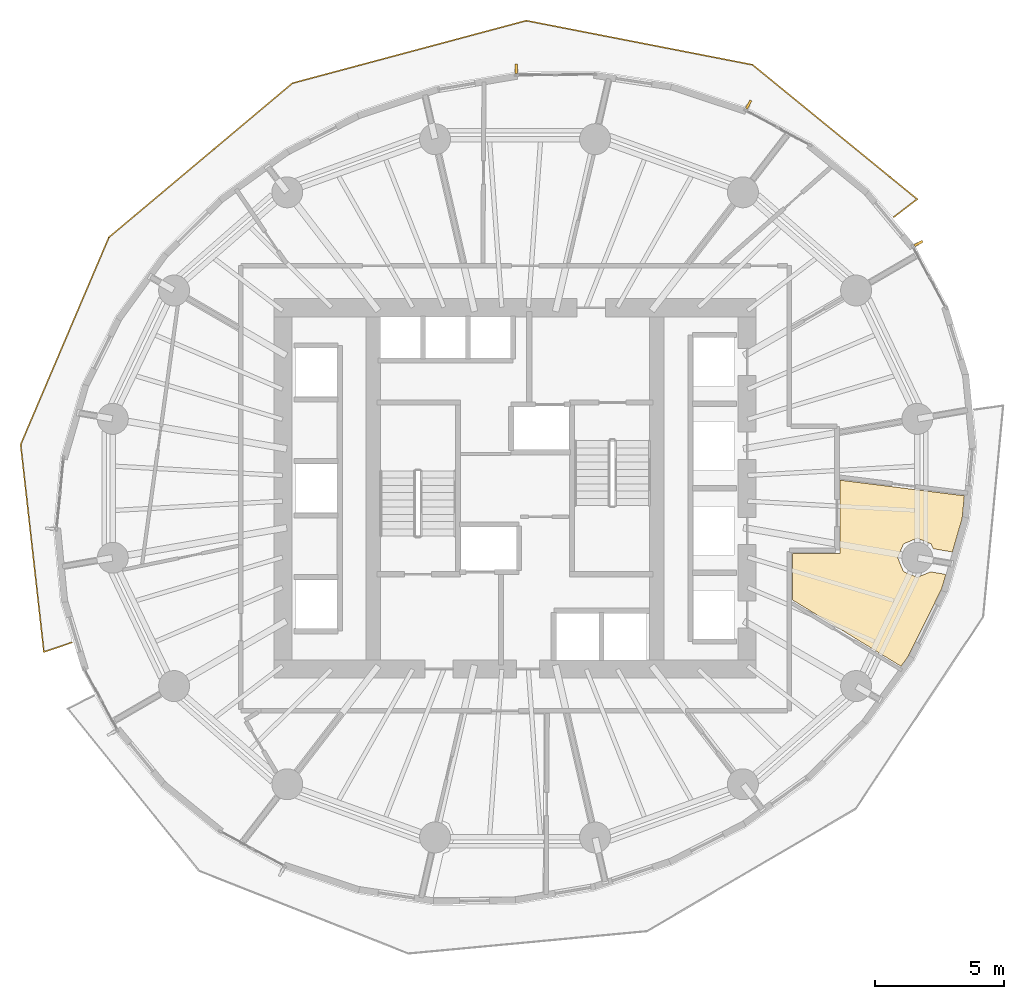
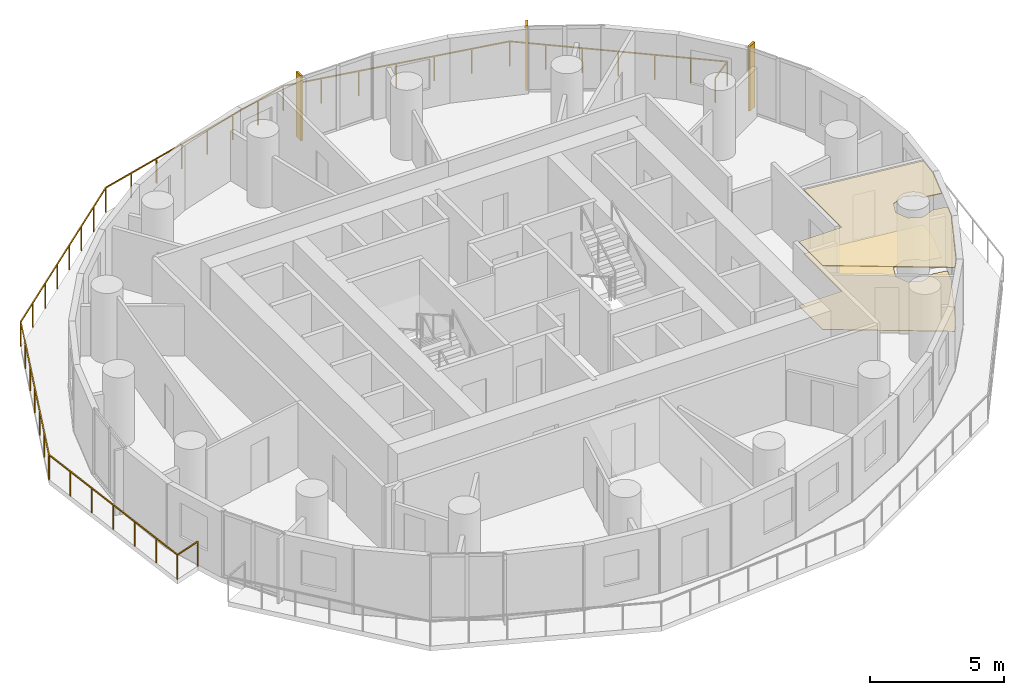
# One storey, part 14 of 14: 3 shading devices, 2 coverings, 1 railing.
"""IFC4 building model written with IfcOpenShell, lengths in metres."""

import ifcopenshell
import ifcopenshell.guid

model = None  # the IFC model being written
_history = None  # IfcOwnerHistory: only IFC2X3 demands one
_inside = {}  # id of a spatial element -> (the spatial element, [elements in it])
_under = {}  # id of a project, library or spatial element -> (it, [spatial elements below it])
_declared = {}  # id of a project -> (the project, [libraries it declares])
_typed = {}  # id of a type object -> (the type object, [elements of that type])
_made_of = {}  # id of a material, layer set ... -> (it, [elements and type objects made of it])


def new_model(schema):
    """Start an empty IFC model of exactly this schema.

    Asked for "IFC4X3", IfcOpenShell would pick the latest addendum, in which some entities
    have other attributes; the version numbers below select the first issue.
    IFC2X3 requires an IfcOwnerHistory on every rooted entity: one is made here for all.
    """
    global model, _history
    if schema == "IFC4X3":
        model = ifcopenshell.file(schema_version=(4, 3, 0, 0))
    else:
        model = ifcopenshell.file(schema=schema)
    _inside.clear()
    _under.clear()
    _declared.clear()
    _typed.clear()
    _made_of.clear()
    _history = None
    if model.schema == "IFC2X3":
        org = make("IfcOrganization", Name="unknown")
        user = make(
            "IfcPersonAndOrganization",
            ThePerson=make("IfcPerson", FamilyName="unknown"),
            TheOrganization=org,
        )
        app = make(
            "IfcApplication",
            ApplicationDeveloper=org,
            Version="unknown",
            ApplicationFullName="unknown",
            ApplicationIdentifier="unknown",
        )
        _history = make(
            "IfcOwnerHistory",
            OwningUser=user,
            OwningApplication=app,
            ChangeAction="ADDED",
            CreationDate=0,
        )
    return model


def make(cls, **values):
    """One entity of the class cls with the attributes given. An attribute that is None is left unset."""
    return model.create_entity(
        cls, **{name: value for name, value in values.items() if value is not None}
    )


def rooted(cls, **values):
    """An entity with a GlobalId (a new one), such as an element, a storey or a relation."""
    return make(cls, GlobalId=ifcopenshell.guid.new(), OwnerHistory=_history, **values)


def si_unit(unit_type, name, prefix=None):
    """IfcSIUnit, for example si_unit("LENGTHUNIT", "METRE", prefix="MILLI")."""
    return make("IfcSIUnit", UnitType=unit_type, Prefix=prefix, Name=name)


def assignment(units):
    """IfcUnitAssignment: the units of a project."""
    return None if units is None else make("IfcUnitAssignment", Units=units)


def point(xyz):
    """IfcCartesianPoint."""
    return None if xyz is None else make("IfcCartesianPoint", Coordinates=xyz)


def direction(xyz):
    """IfcDirection."""
    return None if xyz is None else make("IfcDirection", DirectionRatios=xyz)


def frame(location, z_axis=None, x_axis=None):
    """IfcAxis2Placement3D, a coordinate frame: its origin and axes. An axis left out is left unset."""
    return make(
        "IfcAxis2Placement3D",
        Location=point(location),
        Axis=direction(z_axis),
        RefDirection=direction(x_axis),
    )


def frame_2d(location, x_axis=None):
    """IfcAxis2Placement2D, a coordinate frame in the plane: its origin and x axis."""
    return make(
        "IfcAxis2Placement2D", Location=point(location), RefDirection=direction(x_axis)
    )


def origin():
    """The frame at (0, 0, 0) with its axes left unset."""
    return frame((0.0, 0.0, 0.0))


def origin_2d():
    """The frame at (0, 0) in the plane with its x axis left unset."""
    return frame_2d((0.0, 0.0))


def place(relative_to, where):
    """IfcLocalPlacement: puts the frame where relative to a parent placement (None: the world)."""
    return make(
        "IfcLocalPlacement", PlacementRelTo=relative_to, RelativePlacement=where
    )


def context(
    kind, dimensions, precision=None, world=None, true_north=None, identifier=None
):
    """IfcGeometricRepresentationContext, for example the 3D "Model" context."""
    return make(
        "IfcGeometricRepresentationContext",
        ContextIdentifier=identifier,
        ContextType=kind,
        CoordinateSpaceDimension=dimensions,
        Precision=precision,
        WorldCoordinateSystem=world,
        TrueNorth=true_north,
    )


def subcontext(parent, identifier, kind, view, scale=None):
    """IfcGeometricRepresentationSubContext, for example "Body" below "Model"."""
    return make(
        "IfcGeometricRepresentationSubContext",
        ContextIdentifier=identifier,
        ContextType=kind,
        ParentContext=parent,
        TargetScale=scale,
        TargetView=view,
    )


def project(units=None, contexts=None):
    """IfcProject with its units and contexts."""
    return rooted(
        "IfcProject",
        Name="project",
        RepresentationContexts=contexts,
        UnitsInContext=assignment(units),
    )


def spatial(cls, under=None, at=None, **own):
    """A site, building, storey or space (cls), placed at a placement, below another one or the project."""
    s = rooted(cls, ObjectPlacement=at, **own)
    if under is not None:
        _under.setdefault(under.id(), (under, []))[1].append(s)
    return s


def polyline(points):
    """IfcPolyline through the points."""
    return make("IfcPolyline", Points=[point(p) for p in points])


def profile(cls, at=None, kind="AREA", **sizes):
    """A parametric profile (cls). Its sizes go by their IFC names, for example OverallWidth=200.0."""
    return make(cls, ProfileType=kind, Position=at, **sizes)


def rectangle(**sizes):
    """IfcRectangleProfileDef."""
    return profile("IfcRectangleProfileDef", **sizes)


def outline(outer, holes=None, kind="AREA"):
    """IfcArbitraryClosedProfileDef: a profile drawn as a closed curve; with holes, ...WithVoids."""
    if holes is None:
        return make("IfcArbitraryClosedProfileDef", ProfileType=kind, OuterCurve=outer)
    return make(
        "IfcArbitraryProfileDefWithVoids",
        ProfileType=kind,
        OuterCurve=outer,
        InnerCurves=holes,
    )


def extrude(swept, where, along, depth):
    """IfcExtrudedAreaSolid: the profile swept, set in the frame where, extruded along a direction by depth."""
    return make(
        "IfcExtrudedAreaSolid",
        SweptArea=swept,
        Position=where,
        ExtrudedDirection=direction(along),
        Depth=depth,
    )


def shape(context_of_items, identifier, shape_type, items):
    """IfcShapeRepresentation: the items that make up one representation, for example the "Body"."""
    return make(
        "IfcShapeRepresentation",
        ContextOfItems=context_of_items,
        RepresentationIdentifier=identifier,
        RepresentationType=shape_type,
        Items=items,
    )


def material(Name=None, Category=None):
    """IfcMaterial."""
    return make("IfcMaterial", Name=Name, Category=Category)


def layer(
    of_material, thickness, ventilated=None, Name=None, Category=None, Priority=None
):
    """IfcMaterialLayer: one layer of a wall or slab, of a material (None: an air gap)."""
    return make(
        "IfcMaterialLayer",
        Material=of_material,
        LayerThickness=thickness,
        IsVentilated=ventilated,
        Name=Name,
        Category=Category,
        Priority=Priority,
    )


def layer_set(layers, Name=None):
    """IfcMaterialLayerSet."""
    return make("IfcMaterialLayerSet", MaterialLayers=layers, LayerSetName=Name)


def made_of(thing, what):
    """Note that an element or type object is made of a material, layer set ...; save() writes the relation."""
    if what is not None:
        _made_of.setdefault(what.id(), (what, []))[1].append(thing)
    return thing


def type_object(cls, material=None, **own):
    """A type object (cls), such as IfcWallType, which elements share."""
    return made_of(rooted(cls, **own), material)


def element(
    cls,
    number,
    at=None,
    inside=None,
    cuts=None,
    type_object=None,
    material=None,
    context=None,
    identifier="Body",
    shape_type=None,
    held_by="IfcProductDefinitionShape",
    body=None,
    shapes=None,
    **own,
):
    """One element of the class cls, such as IfcWall. Its Tag is "e" and its number.

    at: its placement. inside: the storey or other place that contains it. cuts: it is an
    opening in that element (IfcRelVoidsElement). A single representation is given by context,
    identifier, shape_type and body (its items); several are given by shapes. held_by: the class
    of the entity that holds the representations. save() writes the other relations.
    """
    e = rooted(cls, Tag="e%d" % number, ObjectPlacement=at, **own)
    if body is not None:
        shapes = [shape(context, identifier, shape_type, body)]
    if shapes is not None:
        e.Representation = make(held_by, Representations=shapes)
    if inside is not None:
        _inside.setdefault(inside.id(), (inside, []))[1].append(e)
    if cuts is not None:
        rooted(
            "IfcRelVoidsElement", RelatingBuildingElement=cuts, RelatedOpeningElement=e
        )
    if type_object is not None:
        _typed.setdefault(type_object.id(), (type_object, []))[1].append(e)
    return made_of(e, material)


def aggregate(whole, parts):
    """IfcRelAggregates: a whole, such as a stair, and the parts it consists of."""
    return rooted("IfcRelAggregates", RelatingObject=whole, RelatedObjects=parts)


def save(model, path):
    """Write the relations noted so far, then the file.

    IfcRelAggregates (storeys below a building ...), IfcRelContainedInSpatialStructure (elements
    in a storey), IfcRelDefinesByType, IfcRelAssociatesMaterial and IfcRelDeclares: one each for
    every whole, place, type object, material and project.
    """
    for whole, parts in _under.values():
        aggregate(whole, parts)
    for where, things in _inside.values():
        rooted(
            "IfcRelContainedInSpatialStructure",
            RelatedElements=things,
            RelatingStructure=where,
        )
    for kind, things in _typed.values():
        rooted("IfcRelDefinesByType", RelatedObjects=things, RelatingType=kind)
    for what, things in _made_of.values():
        rooted("IfcRelAssociatesMaterial", RelatedObjects=things, RelatingMaterial=what)
    for by, libraries in _declared.values():
        rooted("IfcRelDeclares", RelatingContext=by, RelatedDefinitions=libraries)
    model.write(path)


model = new_model("IFC4")

# Units and contexts
model_context = context("Model", 3, precision=1e-05, world=origin(), true_north=direction((0.0, 1.0)))
body_context = subcontext(model_context, "Body", "Model", "MODEL_VIEW")
ifc_project = project(units=[si_unit("LENGTHUNIT", "METRE"), si_unit("AREAUNIT", "SQUARE_METRE"), si_unit("VOLUMEUNIT", "CUBIC_METRE"), si_unit("PLANEANGLEUNIT", "RADIAN"), si_unit("MASSUNIT", "GRAM", prefix="KILO")], contexts=[model_context])

# Site, building, storey
site_placement = place(None, origin())
site = spatial("IfcSite", under=ifc_project, at=site_placement, CompositionType="ELEMENT")
building_placement = place(site_placement, origin())
building = spatial("IfcBuilding", under=site, at=building_placement, Name="Veldorim Arch Residences", CompositionType="ELEMENT")
storey_placement = place(building_placement, frame((0.0, 0.0, 96.47998046875)))
storey = spatial("IfcBuildingStorey", under=building, at=storey_placement, Name="L28", CompositionType="ELEMENT", Elevation=96.47998046875)

# Railing
ifc_material_1 = material(Name="Aluminium", Category="aluminium")
railing_type = type_object("IfcRailingType", Name="Balcony & Terrace Laminated Glass Balustrade 1150", PredefinedType="BALUSTRADE", material=ifc_material_1)
railing_placement = place(storey_placement, frame((46.677978515625, 34.51025390625, 0.0)))
element("IfcRailing", 1, at=railing_placement, inside=storey, type_object=railing_type, Name="L28 crescent balcony safety balustrade A", PredefinedType="BALUSTRADE", context=body_context, shape_type="SweptSolid", body=[
    extrude(rectangle(XDim=0.048095703125, YDim=0.048095703125, at=origin_2d()), frame((0.0, 0.0, 1.1259765625), z_axis=(0.793483347479, 0.608591962873, 0.0), x_axis=(-0.608591962873, 0.793483347479, 0.0)), (0.0, 0.0, 1.0), 1.150146484375),
    extrude(rectangle(XDim=0.048095703125, YDim=0.048095703125, at=origin_2d()), frame((0.91259765625, 0.699951171875, 1.1259765625), z_axis=(-0.774769908428, 0.632243298892, 0.0), x_axis=(-0.632243298892, -0.774769908428, 0.0)), (0.0, 0.0, 1.0), 8.2392578125),
    extrude(rectangle(XDim=0.048095703125, YDim=0.048095703125, at=origin_2d()), frame((-5.470947265625, 5.9091796875, 1.1259765625), z_axis=(-0.981481950654, 0.191554641136, 0.0), x_axis=(-0.191554641136, -0.981481950654, 0.0)), (0.0, 0.0, 1.0), 8.938232421875),
    extrude(rectangle(XDim=0.048095703125, YDim=0.048095703125, at=origin_2d()), frame((-14.24365234375, 7.621337890625, 1.1259765625), z_axis=(-0.966049452854, -0.25835722293, 0.0), x_axis=(0.25835722293, -0.966049452854, 0.0)), (0.0, 0.0, 1.0), 9.384521484375),
    extrude(rectangle(XDim=0.048095703125, YDim=0.048095703125, at=origin_2d()), frame((-23.3095703125, 5.19677734375, 1.1259765625), z_axis=(-0.765795425109, -0.643084261106, 0.0), x_axis=(0.643084261106, -0.765795425109, 0.0)), (0.0, 0.0, 1.0), 9.293212890625),
    extrude(rectangle(XDim=0.048095703125, YDim=0.048095703125, at=origin_2d()), frame((-30.42626953125, -0.779541015625, 1.1259765625), z_axis=(-0.391741994665, -0.920075110856, 0.0), x_axis=(0.920075110856, -0.391741994665, 0.0)), (0.0, 0.0, 1.0), 8.733154296875),
    extrude(rectangle(XDim=0.048095703125, YDim=0.048095703125, at=origin_2d()), frame((-33.847412109375, -8.814697265625, 1.1259765625), z_axis=(0.111365341627, -0.993779533239, 0.0), x_axis=(0.993779533239, 0.111365341627, 0.0)), (0.0, 0.0, 1.0), 8.091552734375),
    extrude(rectangle(XDim=0.048095703125, YDim=0.048095703125, at=origin_2d()), frame((-32.9462890625, -16.85595703125, 1.1259765625), z_axis=(0.947444831891, 0.31991919374, 0.0), x_axis=(-0.31991919374, 0.947444831891, 0.0)), (0.0, 0.0, 1.0), 1.150146484375),
    extrude(rectangle(XDim=0.0419921875, YDim=0.0419921875, at=origin_2d()), origin(), (0.0, 0.0, 1.0), 1.101806640625),
    extrude(rectangle(XDim=0.0419921875, YDim=0.0419921875, at=origin_2d()), frame((0.91259765625, 0.699951171875, 0.0)), (0.0, 0.0, 1.0), 1.101806640625),
    extrude(rectangle(XDim=0.0419921875, YDim=0.0419921875, at=origin_2d()), frame((-0.1513671875, 1.568115234375, 0.0)), (0.0, 0.0, 1.0), 1.101806640625),
    extrude(rectangle(XDim=0.0419921875, YDim=0.0419921875, at=origin_2d()), frame((-1.21533203125, 2.436279296875, 0.0)), (0.0, 0.0, 1.0), 1.101806640625),
    extrude(rectangle(XDim=0.0419921875, YDim=0.0419921875, at=origin_2d()), frame((-2.279296875, 3.3046875, 0.0)), (0.0, 0.0, 1.0), 1.101806640625),
    extrude(rectangle(XDim=0.0419921875, YDim=0.0419921875, at=origin_2d()), frame((-3.343017578125, 4.1728515625, 0.0)), (0.0, 0.0, 1.0), 1.101806640625),
    extrude(rectangle(XDim=0.0419921875, YDim=0.0419921875, at=origin_2d()), frame((-4.406982421875, 5.041015625, 0.0)), (0.0, 0.0, 1.0), 1.101806640625),
    extrude(rectangle(XDim=0.0419921875, YDim=0.0419921875, at=origin_2d()), frame((-5.470947265625, 5.9091796875, 0.0)), (0.0, 0.0, 1.0), 1.101806640625),
    extrude(rectangle(XDim=0.0419921875, YDim=0.0419921875, at=origin_2d()), frame((-6.93310546875, 6.194580078125, 0.0)), (0.0, 0.0, 1.0), 1.101806640625),
    extrude(rectangle(XDim=0.0419921875, YDim=0.0419921875, at=origin_2d()), frame((-8.395263671875, 6.47998046875, 0.0)), (0.0, 0.0, 1.0), 1.101806640625),
    extrude(rectangle(XDim=0.0419921875, YDim=0.0419921875, at=origin_2d()), frame((-9.857421875, 6.76513671875, 0.0)), (0.0, 0.0, 1.0), 1.101806640625),
    extrude(rectangle(XDim=0.0419921875, YDim=0.0419921875, at=origin_2d()), frame((-11.3193359375, 7.050537109375, 0.0)), (0.0, 0.0, 1.0), 1.101806640625),
    extrude(rectangle(XDim=0.0419921875, YDim=0.0419921875, at=origin_2d()), frame((-12.781494140625, 7.3359375, 0.0)), (0.0, 0.0, 1.0), 1.101806640625),
    extrude(rectangle(XDim=0.0419921875, YDim=0.0419921875, at=origin_2d()), frame((-14.24365234375, 7.621337890625, 0.0)), (0.0, 0.0, 1.0), 1.101806640625),
    extrude(rectangle(XDim=0.0419921875, YDim=0.0419921875, at=origin_2d()), frame((-15.538818359375, 7.27490234375, 0.0)), (0.0, 0.0, 1.0), 1.101806640625),
    extrude(rectangle(XDim=0.0419921875, YDim=0.0419921875, at=origin_2d()), frame((-16.833984375, 6.9287109375, 0.0)), (0.0, 0.0, 1.0), 1.101806640625),
    extrude(rectangle(XDim=0.0419921875, YDim=0.0419921875, at=origin_2d()), frame((-18.129150390625, 6.582275390625, 0.0)), (0.0, 0.0, 1.0), 1.101806640625),
    extrude(rectangle(XDim=0.0419921875, YDim=0.0419921875, at=origin_2d()), frame((-19.424072265625, 6.23583984375, 0.0)), (0.0, 0.0, 1.0), 1.101806640625),
    extrude(rectangle(XDim=0.0419921875, YDim=0.0419921875, at=origin_2d()), frame((-20.71923828125, 5.889404296875, 0.0)), (0.0, 0.0, 1.0), 1.101806640625),
    extrude(rectangle(XDim=0.0419921875, YDim=0.0419921875, at=origin_2d()), frame((-22.014404296875, 5.543212890625, 0.0)), (0.0, 0.0, 1.0), 1.101806640625),
    extrude(rectangle(XDim=0.0419921875, YDim=0.0419921875, at=origin_2d()), frame((-23.3095703125, 5.19677734375, 0.0)), (0.0, 0.0, 1.0), 1.101806640625),
    extrude(rectangle(XDim=0.0419921875, YDim=0.0419921875, at=origin_2d()), frame((-24.326171875, 4.343017578125, 0.0)), (0.0, 0.0, 1.0), 1.101806640625),
    extrude(rectangle(XDim=0.0419921875, YDim=0.0419921875, at=origin_2d()), frame((-25.343017578125, 3.4892578125, 0.0)), (0.0, 0.0, 1.0), 1.101806640625),
    extrude(rectangle(XDim=0.0419921875, YDim=0.0419921875, at=origin_2d()), frame((-26.359619140625, 2.635498046875, 0.0)), (0.0, 0.0, 1.0), 1.101806640625),
    extrude(rectangle(XDim=0.0419921875, YDim=0.0419921875, at=origin_2d()), frame((-27.376220703125, 1.78173828125, 0.0)), (0.0, 0.0, 1.0), 1.101806640625),
    extrude(rectangle(XDim=0.0419921875, YDim=0.0419921875, at=origin_2d()), frame((-28.392822265625, 0.927978515625, 0.0)), (0.0, 0.0, 1.0), 1.101806640625),
    extrude(rectangle(XDim=0.0419921875, YDim=0.0419921875, at=origin_2d()), frame((-29.40966796875, 0.07421875, 0.0)), (0.0, 0.0, 1.0), 1.101806640625),
    extrude(rectangle(XDim=0.0419921875, YDim=0.0419921875, at=origin_2d()), frame((-30.42626953125, -0.779541015625, 0.0)), (0.0, 0.0, 1.0), 1.101806640625),
    extrude(rectangle(XDim=0.0419921875, YDim=0.0419921875, at=origin_2d()), frame((-30.99658203125, -2.11865234375, 0.0)), (0.0, 0.0, 1.0), 1.101806640625),
    extrude(rectangle(XDim=0.0419921875, YDim=0.0419921875, at=origin_2d()), frame((-31.566650390625, -3.4580078125, 0.0)), (0.0, 0.0, 1.0), 1.101806640625),
    extrude(rectangle(XDim=0.0419921875, YDim=0.0419921875, at=origin_2d()), frame((-32.13671875, -4.797119140625, 0.0)), (0.0, 0.0, 1.0), 1.101806640625),
    extrude(rectangle(XDim=0.0419921875, YDim=0.0419921875, at=origin_2d()), frame((-32.70703125, -6.13623046875, 0.0)), (0.0, 0.0, 1.0), 1.101806640625),
    extrude(rectangle(XDim=0.0419921875, YDim=0.0419921875, at=origin_2d()), frame((-33.27734375, -7.4755859375, 0.0)), (0.0, 0.0, 1.0), 1.101806640625),
    extrude(rectangle(XDim=0.0419921875, YDim=0.0419921875, at=origin_2d()), frame((-33.847412109375, -8.814697265625, 0.0)), (0.0, 0.0, 1.0), 1.101806640625),
    extrude(rectangle(XDim=0.0419921875, YDim=0.0419921875, at=origin_2d()), frame((-33.697265625, -10.15478515625, 0.0)), (0.0, 0.0, 1.0), 1.101806640625),
    extrude(rectangle(XDim=0.0419921875, YDim=0.0419921875, at=origin_2d()), frame((-33.547119140625, -11.4951171875, 0.0)), (0.0, 0.0, 1.0), 1.101806640625),
    extrude(rectangle(XDim=0.0419921875, YDim=0.0419921875, at=origin_2d()), frame((-33.39697265625, -12.83544921875, 0.0)), (0.0, 0.0, 1.0), 1.101806640625),
    extrude(rectangle(XDim=0.0419921875, YDim=0.0419921875, at=origin_2d()), frame((-33.24658203125, -14.175537109375, 0.0)), (0.0, 0.0, 1.0), 1.101806640625),
    extrude(rectangle(XDim=0.0419921875, YDim=0.0419921875, at=origin_2d()), frame((-33.096435546875, -15.515625, 0.0)), (0.0, 0.0, 1.0), 1.101806640625),
    extrude(rectangle(XDim=0.0419921875, YDim=0.0419921875, at=origin_2d()), frame((-32.9462890625, -16.85595703125, 0.0)), (0.0, 0.0, 1.0), 1.101806640625),
    extrude(rectangle(XDim=0.0419921875, YDim=0.0419921875, at=origin_2d()), frame((-31.856689453125, -16.488037109375, 0.0)), (0.0, 0.0, 1.0), 1.101806640625),
])

# Coverings
ifc_material_2 = material(Name="Acoustic Gypsum & Mineral Fibre", Category="gypsum")
ifc_layer_1 = layer(ifc_material_2, 0.034912109375, Name="Perforated Acoustic Mineral-Fibre Ceiling 35")
ifc_layer_set_1 = layer_set([ifc_layer_1], Name="Acoustic Gypsum & Mineral Fibre")
covering_type_1 = type_object("IfcCoveringType", Name="Perforated Acoustic Mineral-Fibre Ceiling 35", PredefinedType="CEILING", material=ifc_layer_set_1)
covering_1_placement = place(storey_placement, frame((0.0, 0.0, 2.905029296875)))
element("IfcCovering", 2, at=covering_1_placement, inside=storey, type_object=covering_type_1, Name="L28 acoustic suspended ceiling 02", PredefinedType="CEILING", context=body_context, shape_type="SweptSolid", body=[
    extrude(outline(polyline([(48.69970703125, 20.660400390625), (48.53662109375, 20.099853515625), (47.23779296875, 17.478515625), (46.962890625, 17.1005859375), (42.75, 19.67578125), (42.75, 21.47998046875), (44.60009765625, 21.47998046875), (44.60009765625, 24.314453125), (49.41748046875, 23.708984375), (49.33251953125, 22.837646484375), (48.952392578125, 21.530029296875), (48.209228515625, 21.658203125), (48.1318359375, 21.84521484375), (47.594482421875, 22.067626953125), (47.05712890625, 21.84521484375), (46.834716796875, 21.307861328125), (47.05712890625, 20.7705078125), (47.594482421875, 20.5478515625), (48.111083984375, 20.761962890625), (48.69970703125, 20.660400390625)])), origin(), (0.0, 0.0, 1.0), 0.034912109375),
])
ifc_material_3 = material(Name="Porcelain Ceramic Tile", Category="ceramic")
ifc_layer_2 = layer(ifc_material_3, 0.02001953125, Name="Slip-Resistant Porcelain & Vinyl Floor Finish 20")
ifc_layer_set_2 = layer_set([ifc_layer_2], Name="Porcelain Ceramic Tile")
covering_type_2 = type_object("IfcCoveringType", Name="Slip-Resistant Porcelain & Vinyl Floor Finish 20", PredefinedType="FLOORING", material=ifc_layer_set_2)
covering_2_placement = place(storey_placement, origin())
element("IfcCovering", 3, at=covering_2_placement, inside=storey, type_object=covering_type_2, Name="L28 porcelain floor finish 02", PredefinedType="FLOORING", context=body_context, shape_type="SweptSolid", body=[
    extrude(outline(polyline([(48.69970703125, 20.660400390625), (48.53662109375, 20.099853515625), (47.23779296875, 17.478515625), (46.962890625, 17.1005859375), (42.75, 19.67578125), (42.75, 21.47998046875), (44.60009765625, 21.47998046875), (44.60009765625, 24.314453125), (49.41748046875, 23.708984375), (49.33251953125, 22.837646484375), (48.952392578125, 21.530029296875), (48.209228515625, 21.658203125), (48.1318359375, 21.84521484375), (47.594482421875, 22.067626953125), (47.05712890625, 21.84521484375), (46.834716796875, 21.307861328125), (47.05712890625, 20.7705078125), (47.594482421875, 20.5478515625), (48.111083984375, 20.761962890625), (48.69970703125, 20.660400390625)])), origin(), (0.0, 0.0, 1.0), 0.02001953125),
])

# Shading devices
ifc_material_4 = material(Name="Terracotta Ceramic", Category="masonry")
ifc_layer_3 = layer(ifc_material_4, 0.090087890625, Name="Vertical Extruded Terracotta Baguette Sun-Shading Fin")
ifc_layer_set_3 = layer_set([ifc_layer_3], Name="Terracotta Ceramic")
shading_device_type = type_object("IfcShadingDeviceType", Name="Vertical Extruded Terracotta Baguette Sun-Shading Fin", PredefinedType="USERDEFINED", material=ifc_layer_set_3)
for number, where, z_axis, x_axis, name in (
    (4, (47.642333984375, 33.49365234375, 0.0), (0.0, 0.0, 1.0), (0.476084726767, -0.879399416044, 0.0), "L28 vertical terracotta sun-shading fin 01"),
    (5, (41.056396484375, 38.87841796875, 0.0), (0.0, 0.0, 1.0), (0.879399416044, -0.476084726767, 0.0), "L28 vertical terracotta sun-shading fin 04"),
    (6, (32.04931640625, 40.26708984375, 0.0), (0.0, 0.0, 1.0), (0.999937615001, 0.011169874929, 0.0), "L28 vertical terracotta sun-shading fin 07"),
):
    element("IfcShadingDevice", number, at=place(storey_placement, frame(where, z_axis=z_axis, x_axis=x_axis)), inside=storey, type_object=shading_device_type, Name=name, ObjectType="FIN", PredefinedType="USERDEFINED", context=body_context, shape_type="SweptSolid", body=[
        extrude(rectangle(XDim=0.090087890625, YDim=0.360107421875, at=origin_2d()), origin(), (0.0, 0.0, 1.0), 2.9599609375),
    ])

save(model, "model.ifc")
